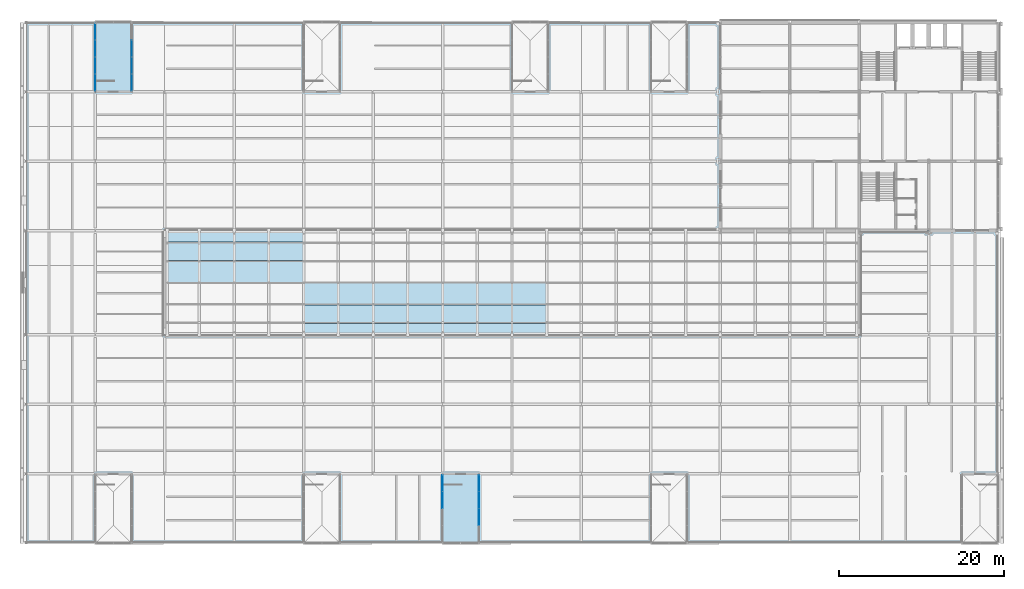
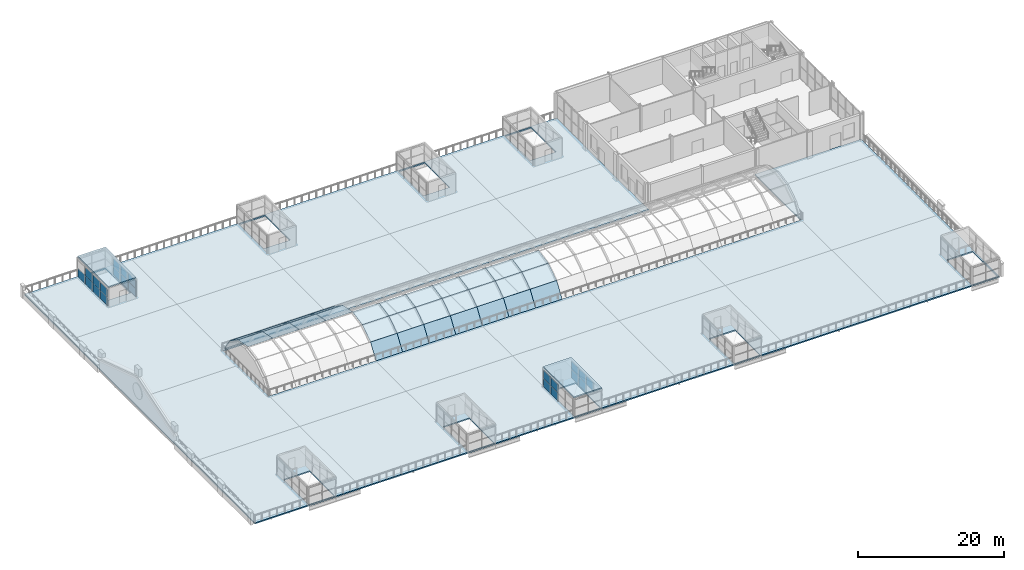
# One storey, part 34 of 58: 55 plates, 3 slabs, 4 elements without a shape of their own.
"""IFC4 building model written with IfcOpenShell, lengths in metres."""

from ifc_helpers import new_model, si_unit, direction, frame, origin, origin_2d, place, context, subcontext, project, spatial, polyline, rectangle, outline, extrude, material, layer, layer_set, type_object, element, aggregate, save


model = new_model("IFC4")

# Units and contexts
model_context = context("Model", 3, precision=1e-05, world=origin(), true_north=direction((0.0, 1.0)))
body_context = subcontext(model_context, "Body", "Model", "MODEL_VIEW")
ifc_project = project(units=[si_unit("LENGTHUNIT", "METRE"), si_unit("AREAUNIT", "SQUARE_METRE"), si_unit("VOLUMEUNIT", "CUBIC_METRE"), si_unit("PLANEANGLEUNIT", "RADIAN"), si_unit("MASSUNIT", "GRAM", prefix="KILO")], contexts=[model_context])

# Site, building, storey
site_placement = place(None, origin())
site = spatial("IfcSite", under=ifc_project, at=site_placement, CompositionType="ELEMENT")
building_placement = place(site_placement, origin())
building = spatial("IfcBuilding", under=site, at=building_placement, Name="Galleria Vessillo Department Store", CompositionType="ELEMENT")
storey_placement = place(building_placement, frame((0.0, 0.0, 31.199951171875)))
storey = spatial("IfcBuildingStorey", under=building, at=storey_placement, Name="L06", CompositionType="ELEMENT", Elevation=31.199951171875)

# Slab
ifc_material_1 = material(Name="Concrete C32/40 composite on steel deck", Category="concrete")
ifc_layer_1 = layer(ifc_material_1, 0.199951171875)
ifc_layer_set_1 = layer_set([ifc_layer_1], Name="Concrete C32/40 composite on steel deck")
slab_type_1 = type_object("IfcSlabType", Name="Composite terrace slab 200 mm", PredefinedType="ROOF", material=ifc_layer_set_1)
slab_1_placement = place(storey_placement, frame((0.0, 0.0, -0.199951171875)))
element("IfcSlab", 1, at=slab_1_placement, inside=storey, type_object=slab_type_1, Name="S-SLAB-L06-TERRACE", PredefinedType="ROOF", context=body_context, shape_type="SweptSolid", body=[
    extrude(outline(polyline([(117.60009765625, 0.0), (0.0, 0.0), (0.0, 63.0), (84.0, 63.0), (84.0, 37.800048828125), (16.800048828125, 37.800048828125), (16.800048828125, 25.199951171875), (100.800048828125, 25.199951171875), (100.800048828125, 37.800048828125), (117.60009765625, 37.800048828125), (117.60009765625, 0.0)]), holes=[polyline([(12.699951171875, 0.199951171875), (12.699951171875, 7.0), (8.60009765625, 7.0), (8.60009765625, 0.199951171875), (12.699951171875, 0.199951171875)]), polyline([(12.699951171875, 56.0), (12.699951171875, 62.800048828125), (8.60009765625, 62.800048828125), (8.60009765625, 56.0), (12.699951171875, 56.0)]), polyline([(37.89990234375, 0.199951171875), (37.89990234375, 7.0), (33.800048828125, 7.0), (33.800048828125, 0.199951171875), (37.89990234375, 0.199951171875)]), polyline([(37.89990234375, 56.0), (37.89990234375, 62.800048828125), (33.800048828125, 62.800048828125), (33.800048828125, 56.0), (37.89990234375, 56.0)]), polyline([(79.89990234375, 0.199951171875), (79.89990234375, 7.0), (75.800048828125, 7.0), (75.800048828125, 0.199951171875), (79.89990234375, 0.199951171875)]), polyline([(79.89990234375, 56.0), (79.89990234375, 62.800048828125), (75.800048828125, 62.800048828125), (75.800048828125, 56.0), (79.89990234375, 56.0)]), polyline([(54.699951171875, 0.199951171875), (54.699951171875, 7.0), (50.60009765625, 7.0), (50.60009765625, 0.199951171875), (54.699951171875, 0.199951171875)]), polyline([(63.10009765625, 56.0), (63.10009765625, 62.800048828125), (59.0, 62.800048828125), (59.0, 56.0), (63.10009765625, 56.0)]), polyline([(117.39990234375, 0.199951171875), (117.39990234375, 7.0), (113.300048828125, 7.0), (113.300048828125, 0.199951171875), (117.39990234375, 0.199951171875)])]), origin(), (0.0, 0.0, 1.0), 0.199951171875),
])

# Curtain wall, plates
ifc_material_2 = material(Name="Aluminium and glass curtain wall", Category="aluminium")
ifc_layer_2 = layer(ifc_material_2, 0.10009765625)
ifc_layer_set_2 = layer_set([ifc_layer_2], Name="Aluminium and glass curtain wall")
curtain_wall_type = type_object("IfcCurtainWallType", Name="Pavilion curtain wall CW5 2100 module", PredefinedType="NOTDEFINED", material=ifc_layer_set_2)
curtain_wall_1_placement = place(storey_placement, origin())
curtain_wall_1 = element("IfcCurtainWall", 2, at=curtain_wall_1_placement, inside=storey, type_object=curtain_wall_type, Name="Pavilion curtain wall CW5 2100 module PV-ST2-A", PredefinedType="NOTDEFINED")
ifc_material_3 = material(Name="Glass laminated 44.2 low-e", Category="glass")
ifc_layer_3 = layer(ifc_material_3, 0.028076171875)
ifc_layer_set_3 = layer_set([ifc_layer_3], Name="Glass laminated 44.2 low-e")
plate_type_1 = type_object("IfcPlateType", Name="Laminated glass panel 28 mm", PredefinedType="CURTAIN_PANEL", material=ifc_layer_set_3)
plate_1_placement = place(storey_placement, frame((8.39990234375, 55.737548828125, 0.0498046875), z_axis=(0.0, 0.0, 1.0), x_axis=(0.0, 1.0, 0.0)))
plate_1 = element("IfcPlate", 3, at=plate_1_placement, type_object=plate_type_1, Name="CW5 panel 1.1", PredefinedType="CURTAIN_PANEL", context=body_context, shape_type="SweptSolid", body=[
    extrude(rectangle(XDim=1.97509765625, YDim=0.028076171875, at=origin_2d()), origin(), (0.0, 0.0, 1.0), 1.360107421875),
])
plate_2_placement = place(storey_placement, frame((8.39990234375, 55.737548828125, 1.4599609375), z_axis=(0.0, 0.0, 1.0), x_axis=(0.0, 1.0, 0.0)))
plate_2 = element("IfcPlate", 4, at=plate_2_placement, type_object=plate_type_1, Name="CW5 panel 1.2", PredefinedType="CURTAIN_PANEL", context=body_context, shape_type="SweptSolid", body=[
    extrude(rectangle(XDim=1.97509765625, YDim=0.028076171875, at=origin_2d()), origin(), (0.0, 0.0, 1.0), 1.360107421875),
])
plate_3_placement = place(storey_placement, frame((8.39990234375, 57.775146484375, 0.0498046875), z_axis=(0.0, 0.0, 1.0), x_axis=(0.0, 1.0, 0.0)))
plate_3 = element("IfcPlate", 5, at=plate_3_placement, type_object=plate_type_1, Name="CW5 panel 2.1", PredefinedType="CURTAIN_PANEL", context=body_context, shape_type="SweptSolid", body=[
    extrude(rectangle(XDim=2.0, YDim=0.028076171875, at=origin_2d()), origin(), (0.0, 0.0, 1.0), 1.360107421875),
])
plate_4_placement = place(storey_placement, frame((8.39990234375, 57.775146484375, 1.4599609375), z_axis=(0.0, 0.0, 1.0), x_axis=(0.0, 1.0, 0.0)))
plate_4 = element("IfcPlate", 6, at=plate_4_placement, type_object=plate_type_1, Name="CW5 panel 2.2", PredefinedType="CURTAIN_PANEL", context=body_context, shape_type="SweptSolid", body=[
    extrude(rectangle(XDim=2.0, YDim=0.028076171875, at=origin_2d()), origin(), (0.0, 0.0, 1.0), 1.360107421875),
])
plate_5_placement = place(storey_placement, frame((8.39990234375, 59.824951171875, 0.0498046875), z_axis=(0.0, 0.0, 1.0), x_axis=(0.0, 1.0, 0.0)))
plate_5 = element("IfcPlate", 7, at=plate_5_placement, type_object=plate_type_1, Name="CW5 panel 3.1", PredefinedType="CURTAIN_PANEL", context=body_context, shape_type="SweptSolid", body=[
    extrude(rectangle(XDim=2.0, YDim=0.028076171875, at=origin_2d()), origin(), (0.0, 0.0, 1.0), 1.360107421875),
])
plate_6_placement = place(storey_placement, frame((8.39990234375, 59.824951171875, 1.4599609375), z_axis=(0.0, 0.0, 1.0), x_axis=(0.0, 1.0, 0.0)))
plate_6 = element("IfcPlate", 8, at=plate_6_placement, type_object=plate_type_1, Name="CW5 panel 3.2", PredefinedType="CURTAIN_PANEL", context=body_context, shape_type="SweptSolid", body=[
    extrude(rectangle(XDim=2.0, YDim=0.028076171875, at=origin_2d()), origin(), (0.0, 0.0, 1.0), 1.360107421875),
])
plate_7_placement = place(storey_placement, frame((8.39990234375, 61.862548828125, 0.0498046875), z_axis=(0.0, 0.0, 1.0), x_axis=(0.0, 1.0, 0.0)))
plate_7 = element("IfcPlate", 9, at=plate_7_placement, type_object=plate_type_1, Name="CW5 panel 4.1", PredefinedType="CURTAIN_PANEL", context=body_context, shape_type="SweptSolid", body=[
    extrude(rectangle(XDim=1.97509765625, YDim=0.028076171875, at=origin_2d()), origin(), (0.0, 0.0, 1.0), 1.360107421875),
])
aggregate(curtain_wall_1, [plate_1, plate_2, plate_3, plate_4, plate_5, plate_6, plate_7])

curtain_wall_2_placement = place(storey_placement, origin())
curtain_wall_2 = element("IfcCurtainWall", 10, at=curtain_wall_2_placement, inside=storey, type_object=curtain_wall_type, Name="Pavilion curtain wall CW5 2100 module PV-ST2-B", PredefinedType="NOTDEFINED")
plate_8_placement = place(storey_placement, frame((12.800048828125, 55.737548828125, 0.0498046875), z_axis=(0.0, 0.0, 1.0), x_axis=(0.0, 1.0, 0.0)))
plate_8 = element("IfcPlate", 11, at=plate_8_placement, type_object=plate_type_1, Name="CW5 panel 1.1", PredefinedType="CURTAIN_PANEL", context=body_context, shape_type="SweptSolid", body=[
    extrude(rectangle(XDim=1.97509765625, YDim=0.028076171875, at=origin_2d()), origin(), (0.0, 0.0, 1.0), 1.360107421875),
])
plate_9_placement = place(storey_placement, frame((12.800048828125, 55.737548828125, 1.4599609375), z_axis=(0.0, 0.0, 1.0), x_axis=(0.0, 1.0, 0.0)))
plate_9 = element("IfcPlate", 12, at=plate_9_placement, type_object=plate_type_1, Name="CW5 panel 1.2", PredefinedType="CURTAIN_PANEL", context=body_context, shape_type="SweptSolid", body=[
    extrude(rectangle(XDim=1.97509765625, YDim=0.028076171875, at=origin_2d()), origin(), (0.0, 0.0, 1.0), 1.360107421875),
])
plate_10_placement = place(storey_placement, frame((12.800048828125, 57.775146484375, 0.0498046875), z_axis=(0.0, 0.0, 1.0), x_axis=(0.0, 1.0, 0.0)))
plate_10 = element("IfcPlate", 13, at=plate_10_placement, type_object=plate_type_1, Name="CW5 panel 2.1", PredefinedType="CURTAIN_PANEL", context=body_context, shape_type="SweptSolid", body=[
    extrude(rectangle(XDim=2.0, YDim=0.028076171875, at=origin_2d()), origin(), (0.0, 0.0, 1.0), 1.360107421875),
])
plate_11_placement = place(storey_placement, frame((12.800048828125, 57.775146484375, 1.4599609375), z_axis=(0.0, 0.0, 1.0), x_axis=(0.0, 1.0, 0.0)))
plate_11 = element("IfcPlate", 14, at=plate_11_placement, type_object=plate_type_1, Name="CW5 panel 2.2", PredefinedType="CURTAIN_PANEL", context=body_context, shape_type="SweptSolid", body=[
    extrude(rectangle(XDim=2.0, YDim=0.028076171875, at=origin_2d()), origin(), (0.0, 0.0, 1.0), 1.360107421875),
])
plate_12_placement = place(storey_placement, frame((12.800048828125, 59.824951171875, 0.0498046875), z_axis=(0.0, 0.0, 1.0), x_axis=(0.0, 1.0, 0.0)))
plate_12 = element("IfcPlate", 15, at=plate_12_placement, type_object=plate_type_1, Name="CW5 panel 3.1", PredefinedType="CURTAIN_PANEL", context=body_context, shape_type="SweptSolid", body=[
    extrude(rectangle(XDim=2.0, YDim=0.028076171875, at=origin_2d()), origin(), (0.0, 0.0, 1.0), 1.360107421875),
])
plate_13_placement = place(storey_placement, frame((12.800048828125, 59.824951171875, 1.4599609375), z_axis=(0.0, 0.0, 1.0), x_axis=(0.0, 1.0, 0.0)))
plate_13 = element("IfcPlate", 16, at=plate_13_placement, type_object=plate_type_1, Name="CW5 panel 3.2", PredefinedType="CURTAIN_PANEL", context=body_context, shape_type="SweptSolid", body=[
    extrude(rectangle(XDim=2.0, YDim=0.028076171875, at=origin_2d()), origin(), (0.0, 0.0, 1.0), 1.360107421875),
])
aggregate(curtain_wall_2, [plate_8, plate_9, plate_10, plate_11, plate_12, plate_13])

curtain_wall_3_placement = place(storey_placement, origin())
curtain_wall_3 = element("IfcCurtainWall", 17, at=curtain_wall_3_placement, inside=storey, type_object=curtain_wall_type, Name="Pavilion curtain wall CW5 2100 module PV-ST10-A", PredefinedType="NOTDEFINED")
plate_14_placement = place(storey_placement, frame((50.39990234375, 5.224853515625, 0.0498046875), z_axis=(0.0, 0.0, 1.0), x_axis=(0.0, 1.0, 0.0)))
plate_14 = element("IfcPlate", 18, at=plate_14_placement, type_object=plate_type_1, Name="CW5 panel 3.1", PredefinedType="CURTAIN_PANEL", context=body_context, shape_type="SweptSolid", body=[
    extrude(rectangle(XDim=2.0, YDim=0.028076171875, at=origin_2d()), origin(), (0.0, 0.0, 1.0), 1.360107421875),
])
plate_15_placement = place(storey_placement, frame((50.39990234375, 5.224853515625, 1.4599609375), z_axis=(0.0, 0.0, 1.0), x_axis=(0.0, 1.0, 0.0)))
plate_15 = element("IfcPlate", 19, at=plate_15_placement, type_object=plate_type_1, Name="CW5 panel 3.2", PredefinedType="CURTAIN_PANEL", context=body_context, shape_type="SweptSolid", body=[
    extrude(rectangle(XDim=2.0, YDim=0.028076171875, at=origin_2d()), origin(), (0.0, 0.0, 1.0), 1.360107421875),
])
plate_16_placement = place(storey_placement, frame((50.39990234375, 7.262451171875, 0.0498046875), z_axis=(0.0, 0.0, 1.0), x_axis=(0.0, 1.0, 0.0)))
plate_16 = element("IfcPlate", 20, at=plate_16_placement, type_object=plate_type_1, Name="CW5 panel 4.1", PredefinedType="CURTAIN_PANEL", context=body_context, shape_type="SweptSolid", body=[
    extrude(rectangle(XDim=1.97509765625, YDim=0.028076171875, at=origin_2d()), origin(), (0.0, 0.0, 1.0), 1.360107421875),
])
plate_17_placement = place(storey_placement, frame((50.39990234375, 7.262451171875, 1.4599609375), z_axis=(0.0, 0.0, 1.0), x_axis=(0.0, 1.0, 0.0)))
plate_17 = element("IfcPlate", 21, at=plate_17_placement, type_object=plate_type_1, Name="CW5 panel 4.2", PredefinedType="CURTAIN_PANEL", context=body_context, shape_type="SweptSolid", body=[
    extrude(rectangle(XDim=1.97509765625, YDim=0.028076171875, at=origin_2d()), origin(), (0.0, 0.0, 1.0), 1.360107421875),
])
aggregate(curtain_wall_3, [plate_14, plate_15, plate_16, plate_17])

curtain_wall_4_placement = place(storey_placement, origin())
curtain_wall_4 = element("IfcCurtainWall", 22, at=curtain_wall_4_placement, inside=storey, type_object=curtain_wall_type, Name="Pavilion curtain wall CW5 2100 module PV-ST10-B", PredefinedType="NOTDEFINED")
plate_18_placement = place(storey_placement, frame((54.800048828125, 3.175048828125, 1.4599609375), z_axis=(0.0, 0.0, 1.0), x_axis=(0.0, 1.0, 0.0)))
plate_18 = element("IfcPlate", 23, at=plate_18_placement, type_object=plate_type_1, Name="CW5 panel 2.2", PredefinedType="CURTAIN_PANEL", context=body_context, shape_type="SweptSolid", body=[
    extrude(rectangle(XDim=2.0, YDim=0.028076171875, at=origin_2d()), origin(), (0.0, 0.0, 1.0), 1.360107421875),
])
plate_19_placement = place(storey_placement, frame((54.800048828125, 5.224853515625, 0.0498046875), z_axis=(0.0, 0.0, 1.0), x_axis=(0.0, 1.0, 0.0)))
plate_19 = element("IfcPlate", 24, at=plate_19_placement, type_object=plate_type_1, Name="CW5 panel 3.1", PredefinedType="CURTAIN_PANEL", context=body_context, shape_type="SweptSolid", body=[
    extrude(rectangle(XDim=2.0, YDim=0.028076171875, at=origin_2d()), origin(), (0.0, 0.0, 1.0), 1.360107421875),
])
plate_20_placement = place(storey_placement, frame((54.800048828125, 5.224853515625, 1.4599609375), z_axis=(0.0, 0.0, 1.0), x_axis=(0.0, 1.0, 0.0)))
plate_20 = element("IfcPlate", 25, at=plate_20_placement, type_object=plate_type_1, Name="CW5 panel 3.2", PredefinedType="CURTAIN_PANEL", context=body_context, shape_type="SweptSolid", body=[
    extrude(rectangle(XDim=2.0, YDim=0.028076171875, at=origin_2d()), origin(), (0.0, 0.0, 1.0), 1.360107421875),
])
plate_21_placement = place(storey_placement, frame((54.800048828125, 7.262451171875, 0.0498046875), z_axis=(0.0, 0.0, 1.0), x_axis=(0.0, 1.0, 0.0)))
plate_21 = element("IfcPlate", 26, at=plate_21_placement, type_object=plate_type_1, Name="CW5 panel 4.1", PredefinedType="CURTAIN_PANEL", context=body_context, shape_type="SweptSolid", body=[
    extrude(rectangle(XDim=1.97509765625, YDim=0.028076171875, at=origin_2d()), origin(), (0.0, 0.0, 1.0), 1.360107421875),
])
plate_22_placement = place(storey_placement, frame((54.800048828125, 7.262451171875, 1.4599609375), z_axis=(0.0, 0.0, 1.0), x_axis=(0.0, 1.0, 0.0)))
plate_22 = element("IfcPlate", 27, at=plate_22_placement, type_object=plate_type_1, Name="CW5 panel 4.2", PredefinedType="CURTAIN_PANEL", context=body_context, shape_type="SweptSolid", body=[
    extrude(rectangle(XDim=1.97509765625, YDim=0.028076171875, at=origin_2d()), origin(), (0.0, 0.0, 1.0), 1.360107421875),
])
aggregate(curtain_wall_4, [plate_18, plate_19, plate_20, plate_21, plate_22])

# Plates
ifc_material_4 = material(Name="Glass laminated 44.2 low-e", Category="glass")
ifc_layer_4 = layer(ifc_material_4, 0.030029296875)
ifc_layer_set_4 = layer_set([ifc_layer_4], Name="Glass laminated 44.2 low-e")
plate_type_2 = type_object("IfcPlateType", Name="Laminated vault glazing panel 30 mm", PredefinedType="SHEET", material=ifc_layer_set_4)
plate_23_placement = place(storey_placement, frame((17.10009765625, 31.5029296875, 4.377685546875), z_axis=(0.0, 0.194649660912, 0.980872830446), x_axis=(1.0, 0.0, 0.0)))
element("IfcPlate", 28, at=plate_23_placement, inside=storey, type_object=plate_type_2, Name="Vault glazing panel 1.4", PredefinedType="SHEET", context=body_context, shape_type="SweptSolid", body=[
    extrude(outline(polyline([(0.0, 0.0), (3.89990234375, 0.0), (3.89990234375, 2.7217368567149305), (0.0, 2.7217368567149305), (0.0, 0.0)])), origin(), (0.0, 0.0, -1.0), 0.030029296875),
])
plate_24_placement = place(storey_placement, frame((17.10009765625, 34.177978515625, 3.845703125), z_axis=(0.0, 0.554720893307, 0.832036495911), x_axis=(1.0, 0.0, 0.0)))
element("IfcPlate", 29, at=plate_24_placement, inside=storey, type_object=plate_type_2, Name="Vault glazing panel 1.5", PredefinedType="SHEET", context=body_context, shape_type="SweptSolid", body=[
    extrude(outline(polyline([(0.0, 0.0), (3.89990234375, 0.0), (3.89990234375, 2.722107250408877), (0.0, 2.722107250408877), (0.0, 0.0)])), origin(), (0.0, 0.0, -1.0), 0.030029296875),
])
plate_25_placement = place(storey_placement, frame((17.10009765625, 36.447021484375, 2.33154296875), z_axis=(0.0, 0.830525222922, 0.556981017711), x_axis=(1.0, 0.0, 0.0)))
element("IfcPlate", 30, at=plate_25_placement, inside=storey, type_object=plate_type_2, Name="Vault glazing panel 1.6", PredefinedType="SHEET", context=body_context, shape_type="SweptSolid", body=[
    extrude(outline(polyline([(0.0, 0.0), (3.89990234375, 0.0), (3.89990234375, 2.690021684729376), (0.0, 2.690021684729376), (0.0, 0.0)])), origin(), (0.0, 0.0, -1.0), 0.030029296875),
])
plate_26_placement = place(storey_placement, frame((21.0, 31.5029296875, 4.377685546875), z_axis=(0.0, 0.194649660912, 0.980872830446), x_axis=(1.0, 0.0, 0.0)))
element("IfcPlate", 31, at=plate_26_placement, inside=storey, type_object=plate_type_2, Name="Vault glazing panel 2.4", PredefinedType="SHEET", context=body_context, shape_type="SweptSolid", body=[
    extrude(outline(polyline([(0.0, 0.0), (4.199951171875, 0.0), (4.199951171875, 2.7217368567149305), (0.0, 2.7217368567149305), (0.0, 0.0)])), origin(), (0.0, 0.0, -1.0), 0.030029296875),
])
plate_27_placement = place(storey_placement, frame((21.0, 34.177978515625, 3.845703125), z_axis=(0.0, 0.554720893307, 0.832036495911), x_axis=(1.0, 0.0, 0.0)))
element("IfcPlate", 32, at=plate_27_placement, inside=storey, type_object=plate_type_2, Name="Vault glazing panel 2.5", PredefinedType="SHEET", context=body_context, shape_type="SweptSolid", body=[
    extrude(outline(polyline([(0.0, 0.0), (4.199951171875, 0.0), (4.199951171875, 2.722107250408877), (0.0, 2.722107250408877), (0.0, 0.0)])), origin(), (0.0, 0.0, -1.0), 0.030029296875),
])
plate_28_placement = place(storey_placement, frame((21.0, 36.447021484375, 2.33154296875), z_axis=(0.0, 0.830525222922, 0.556981017711), x_axis=(1.0, 0.0, 0.0)))
element("IfcPlate", 33, at=plate_28_placement, inside=storey, type_object=plate_type_2, Name="Vault glazing panel 2.6", PredefinedType="SHEET", context=body_context, shape_type="SweptSolid", body=[
    extrude(outline(polyline([(0.0, 0.0), (4.199951171875, 0.0), (4.199951171875, 2.690021684729376), (0.0, 2.690021684729376), (0.0, 0.0)])), origin(), (0.0, 0.0, -1.0), 0.030029296875),
])
plate_29_placement = place(storey_placement, frame((25.199951171875, 31.5029296875, 4.377685546875), z_axis=(0.0, 0.194649660912, 0.980872830446), x_axis=(1.0, 0.0, 0.0)))
element("IfcPlate", 34, at=plate_29_placement, inside=storey, type_object=plate_type_2, Name="Vault glazing panel 3.4", PredefinedType="SHEET", context=body_context, shape_type="SweptSolid", body=[
    extrude(outline(polyline([(0.0, 0.0), (4.199951171875, 0.0), (4.199951171875, 2.7217368567149305), (0.0, 2.7217368567149305), (0.0, 0.0)])), origin(), (0.0, 0.0, -1.0), 0.030029296875),
])
plate_30_placement = place(storey_placement, frame((25.199951171875, 34.177978515625, 3.845703125), z_axis=(0.0, 0.554720893307, 0.832036495911), x_axis=(1.0, 0.0, 0.0)))
element("IfcPlate", 35, at=plate_30_placement, inside=storey, type_object=plate_type_2, Name="Vault glazing panel 3.5", PredefinedType="SHEET", context=body_context, shape_type="SweptSolid", body=[
    extrude(outline(polyline([(0.0, 0.0), (4.199951171875, 0.0), (4.199951171875, 2.722107250408877), (0.0, 2.722107250408877), (0.0, 0.0)])), origin(), (0.0, 0.0, -1.0), 0.030029296875),
])
plate_31_placement = place(storey_placement, frame((25.199951171875, 36.447021484375, 2.33154296875), z_axis=(0.0, 0.830525222922, 0.556981017711), x_axis=(1.0, 0.0, 0.0)))
element("IfcPlate", 36, at=plate_31_placement, inside=storey, type_object=plate_type_2, Name="Vault glazing panel 3.6", PredefinedType="SHEET", context=body_context, shape_type="SweptSolid", body=[
    extrude(outline(polyline([(0.0, 0.0), (4.199951171875, 0.0), (4.199951171875, 2.690021684729376), (0.0, 2.690021684729376), (0.0, 0.0)])), origin(), (0.0, 0.0, -1.0), 0.030029296875),
])
plate_32_placement = place(storey_placement, frame((29.39990234375, 31.5029296875, 4.377685546875), z_axis=(0.0, 0.194649660912, 0.980872830446), x_axis=(1.0, 0.0, 0.0)))
element("IfcPlate", 37, at=plate_32_placement, inside=storey, type_object=plate_type_2, Name="Vault glazing panel 4.4", PredefinedType="SHEET", context=body_context, shape_type="SweptSolid", body=[
    extrude(outline(polyline([(0.0, 0.0), (4.2001953125, 0.0), (4.2001953125, 2.7217368567149305), (0.0, 2.7217368567149305), (0.0, 0.0)])), origin(), (0.0, 0.0, -1.0), 0.030029296875),
])
plate_33_placement = place(storey_placement, frame((29.39990234375, 34.177978515625, 3.845703125), z_axis=(0.0, 0.554720893307, 0.832036495911), x_axis=(1.0, 0.0, 0.0)))
element("IfcPlate", 38, at=plate_33_placement, inside=storey, type_object=plate_type_2, Name="Vault glazing panel 4.5", PredefinedType="SHEET", context=body_context, shape_type="SweptSolid", body=[
    extrude(outline(polyline([(0.0, 0.0), (4.2001953125, 0.0), (4.2001953125, 2.722107250408877), (0.0, 2.722107250408877), (0.0, 0.0)])), origin(), (0.0, 0.0, -1.0), 0.030029296875),
])
plate_34_placement = place(storey_placement, frame((29.39990234375, 36.447021484375, 2.33154296875), z_axis=(0.0, 0.830525222922, 0.556981017711), x_axis=(1.0, 0.0, 0.0)))
element("IfcPlate", 39, at=plate_34_placement, inside=storey, type_object=plate_type_2, Name="Vault glazing panel 4.6", PredefinedType="SHEET", context=body_context, shape_type="SweptSolid", body=[
    extrude(outline(polyline([(0.0, 0.0), (4.2001953125, 0.0), (4.2001953125, 2.690021684729376), (0.0, 2.690021684729376), (0.0, 0.0)])), origin(), (0.0, 0.0, -1.0), 0.030029296875),
])
plate_35_placement = place(storey_placement, frame((33.60009765625, 25.0546875, 0.097412109375), z_axis=(0.0, -0.830525222922, 0.556981017711), x_axis=(1.0, 0.0, 0.0)))
element("IfcPlate", 40, at=plate_35_placement, inside=storey, type_object=plate_type_2, Name="Vault glazing panel 5.1", PredefinedType="SHEET", context=body_context, shape_type="SweptSolid", body=[
    extrude(outline(polyline([(0.0, 0.0), (4.199951171875, 0.0), (4.199951171875, 2.690021684729376), (0.0, 2.690021684729376), (0.0, 0.0)])), origin(), (0.0, 0.0, -1.0), 0.030029296875),
])
plate_36_placement = place(storey_placement, frame((33.60009765625, 26.55712890625, 2.335693359375), z_axis=(0.0, -0.554720893307, 0.832036495911), x_axis=(1.0, 0.0, 0.0)))
element("IfcPlate", 41, at=plate_36_placement, inside=storey, type_object=plate_type_2, Name="Vault glazing panel 5.2", PredefinedType="SHEET", context=body_context, shape_type="SweptSolid", body=[
    extrude(outline(polyline([(0.0, 0.0), (4.199951171875, 0.0), (4.199951171875, 2.722107250408877), (0.0, 2.722107250408877), (0.0, 0.0)])), origin(), (0.0, 0.0, -1.0), 0.030029296875),
])
plate_37_placement = place(storey_placement, frame((33.60009765625, 28.827392578125, 3.847900390625), z_axis=(0.0, -0.194649660912, 0.980872830446), x_axis=(1.0, 0.0, 0.0)))
element("IfcPlate", 42, at=plate_37_placement, inside=storey, type_object=plate_type_2, Name="Vault glazing panel 5.3", PredefinedType="SHEET", context=body_context, shape_type="SweptSolid", body=[
    extrude(outline(polyline([(0.0, 0.0), (4.199951171875, 0.0), (4.199951171875, 2.7217368567149305), (0.0, 2.7217368567149305), (0.0, 0.0)])), origin(), (0.0, 0.0, -1.0), 0.030029296875),
])
plate_38_placement = place(storey_placement, frame((37.800048828125, 25.0546875, 0.097412109375), z_axis=(0.0, -0.830525222922, 0.556981017711), x_axis=(1.0, 0.0, 0.0)))
element("IfcPlate", 43, at=plate_38_placement, inside=storey, type_object=plate_type_2, Name="Vault glazing panel 6.1", PredefinedType="SHEET", context=body_context, shape_type="SweptSolid", body=[
    extrude(outline(polyline([(0.0, 0.0), (4.199951171875, 0.0), (4.199951171875, 2.690021684729376), (0.0, 2.690021684729376), (0.0, 0.0)])), origin(), (0.0, 0.0, -1.0), 0.030029296875),
])
plate_39_placement = place(storey_placement, frame((37.800048828125, 26.55712890625, 2.335693359375), z_axis=(0.0, -0.554720893307, 0.832036495911), x_axis=(1.0, 0.0, 0.0)))
element("IfcPlate", 44, at=plate_39_placement, inside=storey, type_object=plate_type_2, Name="Vault glazing panel 6.2", PredefinedType="SHEET", context=body_context, shape_type="SweptSolid", body=[
    extrude(outline(polyline([(0.0, 0.0), (4.199951171875, 0.0), (4.199951171875, 2.722107250408877), (0.0, 2.722107250408877), (0.0, 0.0)])), origin(), (0.0, 0.0, -1.0), 0.030029296875),
])
plate_40_placement = place(storey_placement, frame((37.800048828125, 28.827392578125, 3.847900390625), z_axis=(0.0, -0.194649660912, 0.980872830446), x_axis=(1.0, 0.0, 0.0)))
element("IfcPlate", 45, at=plate_40_placement, inside=storey, type_object=plate_type_2, Name="Vault glazing panel 6.3", PredefinedType="SHEET", context=body_context, shape_type="SweptSolid", body=[
    extrude(outline(polyline([(0.0, 0.0), (4.199951171875, 0.0), (4.199951171875, 2.7217368567149305), (0.0, 2.7217368567149305), (0.0, 0.0)])), origin(), (0.0, 0.0, -1.0), 0.030029296875),
])
plate_41_placement = place(storey_placement, frame((42.0, 25.0546875, 0.097412109375), z_axis=(0.0, -0.830525222922, 0.556981017711), x_axis=(1.0, 0.0, 0.0)))
element("IfcPlate", 46, at=plate_41_placement, inside=storey, type_object=plate_type_2, Name="Vault glazing panel 7.1", PredefinedType="SHEET", context=body_context, shape_type="SweptSolid", body=[
    extrude(outline(polyline([(0.0, 0.0), (4.199951171875, 0.0), (4.199951171875, 2.690021684729376), (0.0, 2.690021684729376), (0.0, 0.0)])), origin(), (0.0, 0.0, -1.0), 0.030029296875),
])
plate_42_placement = place(storey_placement, frame((42.0, 26.55712890625, 2.335693359375), z_axis=(0.0, -0.554720893307, 0.832036495911), x_axis=(1.0, 0.0, 0.0)))
element("IfcPlate", 47, at=plate_42_placement, inside=storey, type_object=plate_type_2, Name="Vault glazing panel 7.2", PredefinedType="SHEET", context=body_context, shape_type="SweptSolid", body=[
    extrude(outline(polyline([(0.0, 0.0), (4.199951171875, 0.0), (4.199951171875, 2.722107250408877), (0.0, 2.722107250408877), (0.0, 0.0)])), origin(), (0.0, 0.0, -1.0), 0.030029296875),
])
plate_43_placement = place(storey_placement, frame((42.0, 28.827392578125, 3.847900390625), z_axis=(0.0, -0.194649660912, 0.980872830446), x_axis=(1.0, 0.0, 0.0)))
element("IfcPlate", 48, at=plate_43_placement, inside=storey, type_object=plate_type_2, Name="Vault glazing panel 7.3", PredefinedType="SHEET", context=body_context, shape_type="SweptSolid", body=[
    extrude(outline(polyline([(0.0, 0.0), (4.199951171875, 0.0), (4.199951171875, 2.7217368567149305), (0.0, 2.7217368567149305), (0.0, 0.0)])), origin(), (0.0, 0.0, -1.0), 0.030029296875),
])
plate_44_placement = place(storey_placement, frame((46.199951171875, 25.0546875, 0.097412109375), z_axis=(0.0, -0.830525222922, 0.556981017711), x_axis=(1.0, 0.0, 0.0)))
element("IfcPlate", 49, at=plate_44_placement, inside=storey, type_object=plate_type_2, Name="Vault glazing panel 8.1", PredefinedType="SHEET", context=body_context, shape_type="SweptSolid", body=[
    extrude(outline(polyline([(0.0, 0.0), (4.199951171875, 0.0), (4.199951171875, 2.690021684729376), (0.0, 2.690021684729376), (0.0, 0.0)])), origin(), (0.0, 0.0, -1.0), 0.030029296875),
])
plate_45_placement = place(storey_placement, frame((46.199951171875, 26.55712890625, 2.335693359375), z_axis=(0.0, -0.554720893307, 0.832036495911), x_axis=(1.0, 0.0, 0.0)))
element("IfcPlate", 50, at=plate_45_placement, inside=storey, type_object=plate_type_2, Name="Vault glazing panel 8.2", PredefinedType="SHEET", context=body_context, shape_type="SweptSolid", body=[
    extrude(outline(polyline([(0.0, 0.0), (4.199951171875, 0.0), (4.199951171875, 2.722107250408877), (0.0, 2.722107250408877), (0.0, 0.0)])), origin(), (0.0, 0.0, -1.0), 0.030029296875),
])
plate_46_placement = place(storey_placement, frame((46.199951171875, 28.827392578125, 3.847900390625), z_axis=(0.0, -0.194649660912, 0.980872830446), x_axis=(1.0, 0.0, 0.0)))
element("IfcPlate", 51, at=plate_46_placement, inside=storey, type_object=plate_type_2, Name="Vault glazing panel 8.3", PredefinedType="SHEET", context=body_context, shape_type="SweptSolid", body=[
    extrude(outline(polyline([(0.0, 0.0), (4.199951171875, 0.0), (4.199951171875, 2.7217368567149305), (0.0, 2.7217368567149305), (0.0, 0.0)])), origin(), (0.0, 0.0, -1.0), 0.030029296875),
])
plate_47_placement = place(storey_placement, frame((50.39990234375, 25.0546875, 0.097412109375), z_axis=(0.0, -0.830525222922, 0.556981017711), x_axis=(1.0, 0.0, 0.0)))
element("IfcPlate", 52, at=plate_47_placement, inside=storey, type_object=plate_type_2, Name="Vault glazing panel 9.1", PredefinedType="SHEET", context=body_context, shape_type="SweptSolid", body=[
    extrude(outline(polyline([(0.0, 0.0), (4.2001953125, 0.0), (4.2001953125, 2.690021684729376), (0.0, 2.690021684729376), (0.0, 0.0)])), origin(), (0.0, 0.0, -1.0), 0.030029296875),
])
plate_48_placement = place(storey_placement, frame((50.39990234375, 26.55712890625, 2.335693359375), z_axis=(0.0, -0.554720893307, 0.832036495911), x_axis=(1.0, 0.0, 0.0)))
element("IfcPlate", 53, at=plate_48_placement, inside=storey, type_object=plate_type_2, Name="Vault glazing panel 9.2", PredefinedType="SHEET", context=body_context, shape_type="SweptSolid", body=[
    extrude(outline(polyline([(0.0, 0.0), (4.2001953125, 0.0), (4.2001953125, 2.722107250408877), (0.0, 2.722107250408877), (0.0, 0.0)])), origin(), (0.0, 0.0, -1.0), 0.030029296875),
])
plate_49_placement = place(storey_placement, frame((50.39990234375, 28.827392578125, 3.847900390625), z_axis=(0.0, -0.194649660912, 0.980872830446), x_axis=(1.0, 0.0, 0.0)))
element("IfcPlate", 54, at=plate_49_placement, inside=storey, type_object=plate_type_2, Name="Vault glazing panel 9.3", PredefinedType="SHEET", context=body_context, shape_type="SweptSolid", body=[
    extrude(outline(polyline([(0.0, 0.0), (4.2001953125, 0.0), (4.2001953125, 2.7217368567149305), (0.0, 2.7217368567149305), (0.0, 0.0)])), origin(), (0.0, 0.0, -1.0), 0.030029296875),
])
plate_50_placement = place(storey_placement, frame((54.60009765625, 25.0546875, 0.097412109375), z_axis=(0.0, -0.830525222922, 0.556981017711), x_axis=(1.0, 0.0, 0.0)))
element("IfcPlate", 55, at=plate_50_placement, inside=storey, type_object=plate_type_2, Name="Vault glazing panel 10.1", PredefinedType="SHEET", context=body_context, shape_type="SweptSolid", body=[
    extrude(outline(polyline([(0.0, 0.0), (4.199951171875, 0.0), (4.199951171875, 2.690021684729376), (0.0, 2.690021684729376), (0.0, 0.0)])), origin(), (0.0, 0.0, -1.0), 0.030029296875),
])
plate_51_placement = place(storey_placement, frame((54.60009765625, 26.55712890625, 2.335693359375), z_axis=(0.0, -0.554720893307, 0.832036495911), x_axis=(1.0, 0.0, 0.0)))
element("IfcPlate", 56, at=plate_51_placement, inside=storey, type_object=plate_type_2, Name="Vault glazing panel 10.2", PredefinedType="SHEET", context=body_context, shape_type="SweptSolid", body=[
    extrude(outline(polyline([(0.0, 0.0), (4.199951171875, 0.0), (4.199951171875, 2.722107250408877), (0.0, 2.722107250408877), (0.0, 0.0)])), origin(), (0.0, 0.0, -1.0), 0.030029296875),
])
plate_52_placement = place(storey_placement, frame((54.60009765625, 28.827392578125, 3.847900390625), z_axis=(0.0, -0.194649660912, 0.980872830446), x_axis=(1.0, 0.0, 0.0)))
element("IfcPlate", 57, at=plate_52_placement, inside=storey, type_object=plate_type_2, Name="Vault glazing panel 10.3", PredefinedType="SHEET", context=body_context, shape_type="SweptSolid", body=[
    extrude(outline(polyline([(0.0, 0.0), (4.199951171875, 0.0), (4.199951171875, 2.7217368567149305), (0.0, 2.7217368567149305), (0.0, 0.0)])), origin(), (0.0, 0.0, -1.0), 0.030029296875),
])
plate_53_placement = place(storey_placement, frame((58.800048828125, 25.0546875, 0.097412109375), z_axis=(0.0, -0.830525222922, 0.556981017711), x_axis=(1.0, 0.0, 0.0)))
element("IfcPlate", 58, at=plate_53_placement, inside=storey, type_object=plate_type_2, Name="Vault glazing panel 11.1", PredefinedType="SHEET", context=body_context, shape_type="SweptSolid", body=[
    extrude(outline(polyline([(0.0, 0.0), (4.199951171875, 0.0), (4.199951171875, 2.690021684729376), (0.0, 2.690021684729376), (0.0, 0.0)])), origin(), (0.0, 0.0, -1.0), 0.030029296875),
])
plate_54_placement = place(storey_placement, frame((58.800048828125, 26.55712890625, 2.335693359375), z_axis=(0.0, -0.554720893307, 0.832036495911), x_axis=(1.0, 0.0, 0.0)))
element("IfcPlate", 59, at=plate_54_placement, inside=storey, type_object=plate_type_2, Name="Vault glazing panel 11.2", PredefinedType="SHEET", context=body_context, shape_type="SweptSolid", body=[
    extrude(outline(polyline([(0.0, 0.0), (4.199951171875, 0.0), (4.199951171875, 2.722107250408877), (0.0, 2.722107250408877), (0.0, 0.0)])), origin(), (0.0, 0.0, -1.0), 0.030029296875),
])
plate_55_placement = place(storey_placement, frame((58.800048828125, 28.827392578125, 3.847900390625), z_axis=(0.0, -0.194649660912, 0.980872830446), x_axis=(1.0, 0.0, 0.0)))
element("IfcPlate", 60, at=plate_55_placement, inside=storey, type_object=plate_type_2, Name="Vault glazing panel 11.3", PredefinedType="SHEET", context=body_context, shape_type="SweptSolid", body=[
    extrude(outline(polyline([(0.0, 0.0), (4.199951171875, 0.0), (4.199951171875, 2.7217368567149305), (0.0, 2.7217368567149305), (0.0, 0.0)])), origin(), (0.0, 0.0, -1.0), 0.030029296875),
])

# Slabs
ifc_material_5 = material(Name="Concrete C32/40 reinforced", Category="concrete")
ifc_layer_5 = layer(ifc_material_5, 0.199951171875)
ifc_layer_set_5 = layer_set([ifc_layer_5], Name="Concrete C32/40 reinforced")
slab_type_2 = type_object("IfcSlabType", Name="Pavilion roof slab 200 mm", PredefinedType="ROOF", material=ifc_layer_set_5)
slab_2_placement = place(storey_placement, frame((0.0, 0.0, 3.2001953125)))
element("IfcSlab", 61, at=slab_2_placement, inside=storey, type_object=slab_type_2, Name="S-SLAB-PAV-ST2-ROOF", PredefinedType="ROOF", context=body_context, shape_type="SweptSolid", body=[
    extrude(outline(polyline([(12.800048828125, 54.60009765625), (12.800048828125, 63.0), (8.39990234375, 63.0), (8.39990234375, 54.60009765625), (12.800048828125, 54.60009765625)])), origin(), (0.0, 0.0, 1.0), 0.199951171875),
])
slab_3_placement = place(storey_placement, frame((0.0, 0.0, 3.2001953125)))
element("IfcSlab", 62, at=slab_3_placement, inside=storey, type_object=slab_type_2, Name="S-SLAB-PAV-ST10-ROOF", PredefinedType="ROOF", context=body_context, shape_type="SweptSolid", body=[
    extrude(outline(polyline([(54.800048828125, 0.0), (54.800048828125, 8.39990234375), (50.39990234375, 8.39990234375), (50.39990234375, 0.0), (54.800048828125, 0.0)])), origin(), (0.0, 0.0, 1.0), 0.199951171875),
])

save(model, "model.ifc")
